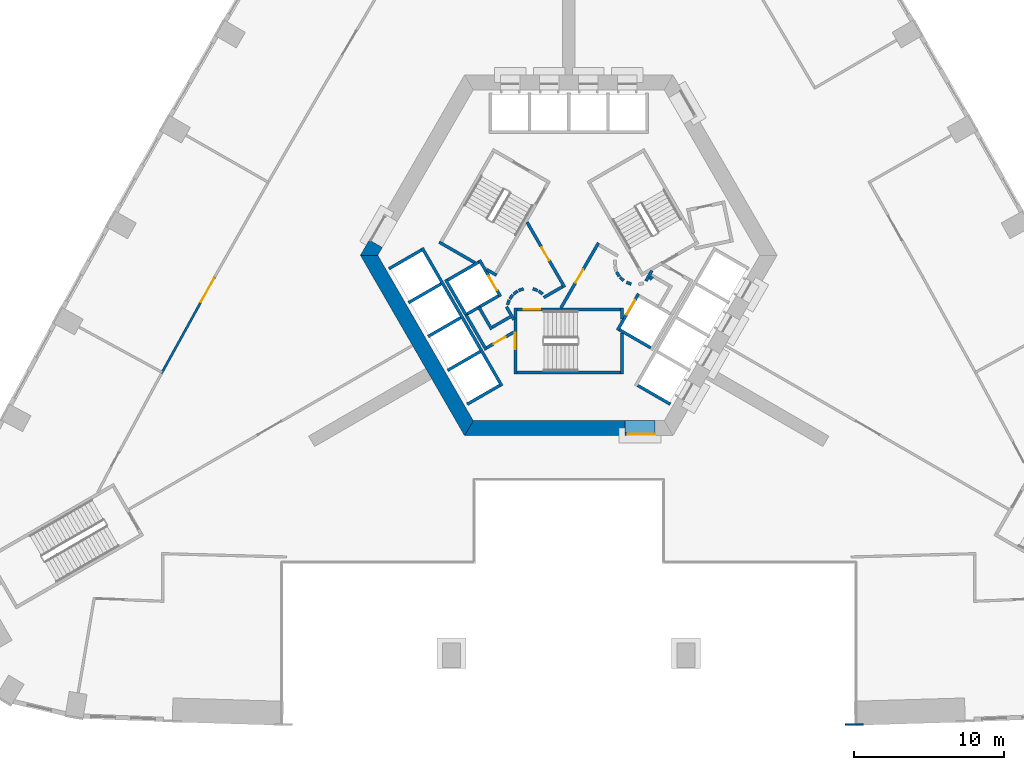
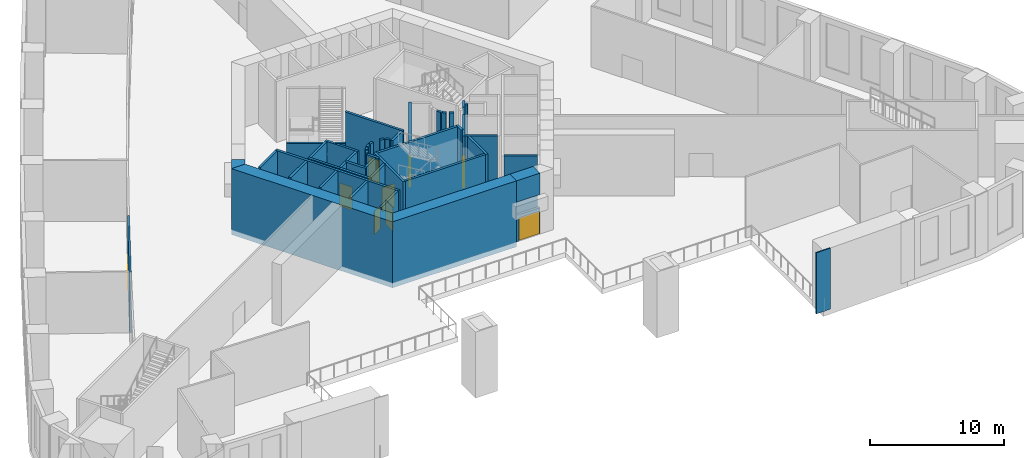
# One storey, part 3 of 15: 46 walls, 9 doors, 9 openings.
"""IFC4 building model written with IfcOpenShell, lengths in metres."""

from ifc_helpers import new_model, si_unit, direction, frame, frame_2d, origin, place, context, subcontext, project, spatial, polyline, rectangle, outline, extrude, material, layer, layer_set, type_object, element, fill, save


model = new_model("IFC4")

# Units and contexts
model_context = context("Model", 3, precision=1e-05, world=origin(), true_north=direction((0.0, 1.0)))
body_context = subcontext(model_context, "Body", "Model", "MODEL_VIEW")
ifc_project = project(units=[si_unit("LENGTHUNIT", "METRE"), si_unit("AREAUNIT", "SQUARE_METRE"), si_unit("VOLUMEUNIT", "CUBIC_METRE"), si_unit("PLANEANGLEUNIT", "RADIAN"), si_unit("MASSUNIT", "GRAM", prefix="KILO")], contexts=[model_context])

# Site, building, storey
site_placement = place(None, origin())
site = spatial("IfcSite", under=ifc_project, at=site_placement, CompositionType="ELEMENT")
building_placement = place(site_placement, origin())
building = spatial("IfcBuilding", under=site, at=building_placement, Name="Entoto Arch Interchange Tower", CompositionType="ELEMENT")
storey_placement = place(building_placement, frame((0.0, 0.0, 9.0)))
storey = spatial("IfcBuildingStorey", under=building, at=storey_placement, Name="L01", CompositionType="ELEMENT", Elevation=9.0)

# Wall, opening, door
ifc_material_1 = material(Name="Reinforced concrete C40/50", Category="concrete")
ifc_layer_1 = layer(ifc_material_1, 0.199951171875)
ifc_layer_set_1 = layer_set([ifc_layer_1], Name="Reinforced concrete C40/50")
wall_type_1 = type_object("IfcWallType", Name="CORE GAP INFILL WALL", PredefinedType="PARTITIONING", material=ifc_layer_set_1)
wall_1_placement = place(storey_placement, frame((3.75, -9.39990234375, 0.0), z_axis=(0.0, 0.0, 1.0), x_axis=(1.0, 0.0, 0.0)))
wall_1 = element("IfcWall", 1, at=wall_1_placement, inside=storey, type_object=wall_type_1, Name="wall:L01:gap1", PredefinedType="PARTITIONING", context=body_context, shape_type="SweptSolid", body=[
    extrude(rectangle(XDim=2.0, YDim=0.199951171875, at=frame_2d((1.0, 0.0))), origin(), (0.0, 0.0, 1.0), 2.39990234375),
])
opening_1_placement = place(wall_1_placement, frame((0.18994140625, 0.0, 0.0)))
opening_1 = element("IfcOpeningElement", 2, at=opening_1_placement, cuts=wall_1, Name="Opening L01-D91", PredefinedType="OPENING", context=body_context, shape_type="SweptSolid", body=[
    extrude(rectangle(XDim=1.800048828125, YDim=2.10009765625, at=frame_2d((0.89990234375, 1.050048828125))), frame((0.0, 0.10986328125, 0.0), z_axis=(0.0, -1.0, 0.0), x_axis=(1.0, 0.0, 0.0)), (0.0, 0.0, 1.0), 0.219970703125),
])
ifc_material_2 = material(Name="Fire-rated Steel S235 door and frame", Category="steel")
door_type_1 = type_object("IfcDoorType", Name="DOOR FD-18 1800x2100", OperationType="DOUBLE_DOOR_SINGLE_SWING", PredefinedType="DOOR", material=ifc_material_2)
door_1_placement = place(opening_1_placement, origin())
door_1 = element("IfcDoor", 3, at=door_1_placement, inside=storey, type_object=door_type_1, Name="door:L01:gap1", OperationType="DOUBLE_DOOR_SINGLE_SWING", OverallHeight=2.10009765625, OverallWidth=1.800048828125, PredefinedType="DOOR", context=body_context, shape_type="SweptSolid", body=[
    extrude(rectangle(XDim=1.800048828125, YDim=2.10009765625, at=frame_2d((0.89990234375, 1.050048828125))), frame((0.0, 0.02490234375, 0.0), z_axis=(0.0, -1.0, 0.0), x_axis=(1.0, 0.0, 0.0)), (0.0, 0.0, 1.0), 0.050048828125),
])
fill(opening_1, door_1)

# Walls
ifc_material_3 = material(Name="Concrete C60/75", Category="concrete")
ifc_layer_2 = layer(ifc_material_3, 1.0)
ifc_layer_set_2 = layer_set([ifc_layer_2], Name="Concrete C60/75")
wall_type_2 = type_object("IfcWallType", Name="Core wall 1000 C60/75", PredefinedType="SHEAR", material=ifc_layer_set_2)
wall_2_placement = place(storey_placement, frame((0.0, 0.0, -0.449951171875)))
element("IfcWall", 4, at=wall_2_placement, inside=storey, type_object=wall_type_2, Name="Core wall NW L01", PredefinedType="SHEAR", context=body_context, shape_type="SweptSolid", body=[
    extrude(outline(polyline([(-12.402099609375, 3.02001953125), (-13.26708984375, 3.52001953125), (-13.85595703125, 2.5), (-12.701904296875, 2.5), (-12.402099609375, 3.02001953125)])), origin(), (0.0, 0.0, 1.0), 6.0),
])
wall_3_placement = place(storey_placement, frame((0.0, 0.0, -0.449951171875)))
element("IfcWall", 5, at=wall_3_placement, inside=storey, type_object=wall_type_2, Name="Core wall SW L01", PredefinedType="SHEAR", context=body_context, shape_type="SweptSolid", body=[
    extrude(outline(polyline([(-13.85595703125, 2.5), (-6.927978515625, -9.5), (-6.35107421875, -8.5), (-12.701904296875, 2.5), (-13.85595703125, 2.5)])), origin(), (0.0, 0.0, 1.0), 6.0),
])
wall_4_placement = place(storey_placement, frame((0.0, 0.0, -0.449951171875)))
element("IfcWall", 6, at=wall_4_placement, inside=storey, type_object=wall_type_2, Name="Core wall S L01", PredefinedType="SHEAR", context=body_context, shape_type="SweptSolid", body=[
    extrude(outline(polyline([(3.75, -9.5), (3.75, -8.5), (-6.35107421875, -8.5), (-6.927978515625, -9.5), (3.75, -9.5)])), origin(), (0.0, 0.0, 1.0), 6.0),
])
wall_5_placement = place(storey_placement, frame((0.0, 0.0, 3.60009765625)))
element("IfcWall", 7, at=wall_5_placement, inside=storey, type_object=wall_type_2, Name="Core wall lintel S L01", PredefinedType="SHEAR", context=body_context, shape_type="SweptSolid", body=[
    extrude(outline(polyline([(5.75, -9.5), (5.75, -8.5), (3.75, -8.5), (3.75, -9.5), (5.75, -9.5)])), origin(), (0.0, 0.0, 1.0), 1.949951171875),
])

# Wall, opening, door
ifc_material_4 = material(Name="Concrete C40/50", Category="concrete")
ifc_layer_3 = layer(ifc_material_4, 0.199951171875)
ifc_layer_set_3 = layer_set([ifc_layer_3], Name="Concrete C40/50")
wall_type_3 = type_object("IfcWallType", Name="LIFT SHAFT WALL 200", PredefinedType="STANDARD", material=ifc_layer_set_3)
wall_6_placement = place(storey_placement, frame((-5.93994140625, 2.18798828125, 0.0), z_axis=(0.0, 0.0, 1.0), x_axis=(0.49994636267, -0.866056369097, 0.0)))
wall_6 = element("IfcWall", 8, at=wall_6_placement, inside=storey, type_object=wall_type_3, Name="Shaft wall SW1 front", PredefinedType="STANDARD", context=body_context, shape_type="SweptSolid", body=[
    extrude(rectangle(XDim=2.800048828125, YDim=0.199951171875, at=frame_2d((1.39990234375, 0.0))), origin(), (0.0, 0.0, 1.0), 5.550048828125),
])
opening_2_placement = place(wall_6_placement, frame((1.22509765625, 0.0, 0.0)))
opening_2 = element("IfcOpeningElement", 9, at=opening_2_placement, cuts=wall_6, Name="Opening LD-FF2-L01", PredefinedType="OPENING", context=body_context, shape_type="SweptSolid", body=[
    extrude(rectangle(XDim=1.10009765625, YDim=2.10009765625, at=frame_2d((0.550048828125, 1.050048828125))), frame((0.0, 0.10986328125, 0.0), z_axis=(0.0, -1.0, 0.0), x_axis=(1.0, 0.0, 0.0)), (0.0, 0.0, 1.0), 0.219970703125),
])
ifc_material_5 = material(Name="Stainless steel 1.4301 panels", Category="steel")
door_type_2 = type_object("IfcDoorType", Name="LIFT LANDING DOOR LD1 1100x2100", OperationType="SLIDING_TO_LEFT", PredefinedType="DOOR", material=ifc_material_5)
door_2_placement = place(opening_2_placement, origin())
door_2 = element("IfcDoor", 10, at=door_2_placement, inside=storey, type_object=door_type_2, Name="Lift landing door FF2 L01", OperationType="SLIDING_TO_LEFT", OverallHeight=2.10009765625, OverallWidth=1.10009765625, PredefinedType="DOOR", context=body_context, shape_type="SweptSolid", body=[
    extrude(rectangle(XDim=1.10009765625, YDim=2.10009765625, at=frame_2d((0.550048828125, 1.050048828125))), frame((0.0, 0.02490234375, 0.0), z_axis=(0.0, -1.0, 0.0), x_axis=(1.0, 0.0, 0.0)), (0.0, 0.0, 1.0), 0.050048828125),
])
fill(opening_2, door_2)

# Walls
wall_7_placement = place(storey_placement, frame((-8.19189453125, 0.887939453125, 0.0), z_axis=(0.0, 0.0, 1.0), x_axis=(0.49994636267, -0.866056369097, 0.0)))
element("IfcWall", 11, at=wall_7_placement, inside=storey, type_object=wall_type_3, Name="Shaft wall SW1 back", PredefinedType="STANDARD", context=body_context, shape_type="SweptSolid", body=[
    extrude(rectangle(XDim=2.800048828125, YDim=0.199951171875, at=frame_2d((1.39990234375, 0.0))), origin(), (0.0, 0.0, 1.0), 5.550048828125),
])
for number, where, z_axis, x_axis, name in (
    (12, (-5.97705078125, 2.052001953125, 0.0), (0.0, 0.0, 1.0), (-0.865973769406, -0.500089422704, 0.0), "Shaft wall SW1 cross 1"),
    (13, (-4.677001953125, -0.199951171875, 0.0), (0.0, 0.0, 1.0), (-0.865973769406, -0.500089422704, 0.0), "Shaft wall SW1 cross 2"),
):
    element("IfcWall", number, at=place(storey_placement, frame(where, z_axis=z_axis, x_axis=x_axis)), inside=storey, type_object=wall_type_3, Name=name, PredefinedType="STANDARD", context=body_context, shape_type="SweptSolid", body=[
        extrude(rectangle(XDim=2.3994140625, YDim=0.199951171875, at=frame_2d((1.19970703125, 0.0))), origin(), (0.0, 0.0, 1.0), 5.550048828125),
    ])
wall_8_placement = place(storey_placement, frame((-9.7509765625, 2.989990234375, 0.0), z_axis=(0.0, 0.0, 1.0), x_axis=(0.50000090737, -0.866024879913, 0.0)))
element("IfcWall", 14, at=wall_8_placement, inside=storey, type_object=wall_type_3, Name="Shaft wall SW3 front", PredefinedType="STANDARD", context=body_context, shape_type="SweptSolid", body=[
    extrude(rectangle(XDim=10.60009765625, YDim=0.199951171875, at=frame_2d((5.300048828125, 0.0))), origin(), (0.0, 0.0, 1.0), 5.550048828125),
])
wall_9_placement = place(storey_placement, frame((-9.7880859375, 2.85302734375, 0.0), z_axis=(0.0, 0.0, 1.0), x_axis=(-0.865998541277, -0.500046524342, 0.0)))
element("IfcWall", 15, at=wall_9_placement, inside=storey, type_object=wall_type_3, Name="Shaft wall SW3 cross 1", PredefinedType="STANDARD", context=body_context, shape_type="SweptSolid", body=[
    extrude(rectangle(XDim=2.499755859375, YDim=0.199951171875, at=frame_2d((1.25, 0.0))), origin(), (0.0, 0.0, 1.0), 5.550048828125),
])
for number, where, z_axis, x_axis, name in (
    (16, (-8.488037109375, 0.60205078125, 0.0), (0.0, 0.0, 1.0), (-0.866022959057, -0.500004234368, 0.0), "Shaft wall SW3 cross 2"),
    (17, (-7.18798828125, -1.64990234375, 0.0), (0.0, 0.0, 1.0), (-0.866022959057, -0.500004234368, 0.0), "Shaft wall SW3 cross 3"),
    (18, (-5.887939453125, -3.902099609375, 0.0), (0.0, 0.0, 1.0), (-0.866022959057, -0.500004234368, 0.0), "Shaft wall SW3 cross 4"),
    (19, (-4.587890625, -6.153076171875, 0.0), (0.0, 0.0, 1.0), (-0.866022959057, -0.500004234368, 0.0), "Shaft wall SW3 cross 5"),
):
    element("IfcWall", number, at=place(storey_placement, frame(where, z_axis=z_axis, x_axis=x_axis)), inside=storey, type_object=wall_type_3, Name=name, PredefinedType="STANDARD", context=body_context, shape_type="SweptSolid", body=[
        extrude(rectangle(XDim=2.5, YDim=0.199951171875, at=frame_2d((1.25, 0.0))), origin(), (0.0, 0.0, 1.0), 5.550048828125),
    ])

# Wall, opening, door
wall_10_placement = place(storey_placement, frame((3.239990234375, -2.488037109375, 0.0), z_axis=(0.0, 0.0, 1.0), x_axis=(0.49994636267, 0.866056369097, 0.0)))
wall_10 = element("IfcWall", 20, at=wall_10_placement, inside=storey, type_object=wall_type_3, Name="Shaft wall SE1 front", PredefinedType="STANDARD", context=body_context, shape_type="SweptSolid", body=[
    extrude(rectangle(XDim=2.800048828125, YDim=0.199951171875, at=frame_2d((1.39990234375, 0.0))), origin(), (0.0, 0.0, 1.0), 5.550048828125),
])
opening_3_placement = place(wall_10_placement, frame((1.22509765625, 0.0, 0.0)))
opening_3 = element("IfcOpeningElement", 21, at=opening_3_placement, cuts=wall_10, Name="Opening LD-FF1-L01", PredefinedType="OPENING", context=body_context, shape_type="SweptSolid", body=[
    extrude(rectangle(XDim=1.10009765625, YDim=2.10009765625, at=frame_2d((0.550048828125, 1.050048828125))), frame((0.0, 0.10986328125, 0.0), z_axis=(0.0, -1.0, 0.0), x_axis=(1.0, 0.0, 0.0)), (0.0, 0.0, 1.0), 0.219970703125),
])
door_3_placement = place(opening_3_placement, origin())
door_3 = element("IfcDoor", 22, at=door_3_placement, inside=storey, type_object=door_type_2, Name="Lift landing door FF1 L01", OperationType="SLIDING_TO_LEFT", OverallHeight=2.10009765625, OverallWidth=1.10009765625, PredefinedType="DOOR", context=body_context, shape_type="SweptSolid", body=[
    extrude(rectangle(XDim=1.10009765625, YDim=2.10009765625, at=frame_2d((0.550048828125, 1.050048828125))), frame((0.0, 0.02490234375, 0.0), z_axis=(0.0, -1.0, 0.0), x_axis=(1.0, 0.0, 0.0)), (0.0, 0.0, 1.0), 0.050048828125),
])
fill(opening_3, door_3)

# Walls
wall_11_placement = place(storey_placement, frame((3.376953125, -2.451904296875, 0.0), z_axis=(0.0, 0.0, 1.0), x_axis=(0.865955154139, -0.50012165622, 0.0)))
element("IfcWall", 23, at=wall_11_placement, inside=storey, type_object=wall_type_3, Name="Shaft wall SE1 cross 1", PredefinedType="STANDARD", context=body_context, shape_type="SweptSolid", body=[
    extrude(rectangle(XDim=2.39990234375, YDim=0.199951171875, at=frame_2d((1.199951171875, 0.0))), origin(), (0.0, 0.0, 1.0), 5.550048828125),
])
wall_12_placement = place(storey_placement, frame((4.587890625, -6.153076171875, 0.0), z_axis=(0.0, 0.0, 1.0), x_axis=(0.866022959057, -0.500004234368, 0.0)))
element("IfcWall", 24, at=wall_12_placement, inside=storey, type_object=wall_type_3, Name="Shaft wall SE3 cross 1", PredefinedType="STANDARD", context=body_context, shape_type="SweptSolid", body=[
    extrude(rectangle(XDim=2.5, YDim=0.199951171875, at=frame_2d((1.25, 0.0))), origin(), (0.0, 0.0, 1.0), 5.550048828125),
])

# Wall, opening, door
ifc_material_6 = material(Name="Gypsum board partition on steel studs", Category="steel")
ifc_layer_4 = layer(ifc_material_6, 0.14990234375)
ifc_layer_set_4 = layer_set([ifc_layer_4], Name="Gypsum board partition on steel studs")
wall_type_4 = type_object("IfcWallType", Name="PARTITION 150", PredefinedType="PARTITIONING", material=ifc_layer_set_4)
wall_13_placement = place(storey_placement, frame((-23.550048828125, 1.051025390625, 0.0), z_axis=(0.0, 0.0, 1.0), x_axis=(-0.48321416161, -0.875502183903, 0.0)))
wall_13 = element("IfcWall", 25, at=wall_13_placement, inside=storey, type_object=wall_type_4, Name="wall:L01:p063", PredefinedType="PARTITIONING", context=body_context, shape_type="SweptSolid", body=[
    extrude(rectangle(XDim=7.311279296875, YDim=0.14990234375, at=frame_2d((3.65576171875, 0.0))), origin(), (0.0, 0.0, 1.0), 5.550048828125),
])
opening_4_placement = place(wall_13_placement, frame((0.10009765625, 0.0, 0.0)))
opening_4 = element("IfcOpeningElement", 26, at=opening_4_placement, cuts=wall_13, Name="Opening L01-D13", PredefinedType="OPENING", context=body_context, shape_type="SweptSolid", body=[
    extrude(rectangle(XDim=1.800048828125, YDim=2.10009765625, at=frame_2d((0.89990234375, 1.050048828125))), frame((0.0, 0.0849609375, 0.0), z_axis=(0.0, -1.0, 0.0), x_axis=(1.0, 0.0, 0.0)), (0.0, 0.0, 1.0), 0.169921875),
])
ifc_material_7 = material(Name="Timber door leaf in Steel S235 frame", Category="steel")
door_type_3 = type_object("IfcDoorType", Name="DOOR DD-18 1800x2100", OperationType="DOUBLE_DOOR_SINGLE_SWING", PredefinedType="DOOR", material=ifc_material_7)
door_4_placement = place(opening_4_placement, origin())
door_4 = element("IfcDoor", 27, at=door_4_placement, inside=storey, type_object=door_type_3, Name="door:L01:13", OperationType="DOUBLE_DOOR_SINGLE_SWING", OverallHeight=2.10009765625, OverallWidth=1.800048828125, PredefinedType="DOOR", context=body_context, shape_type="SweptSolid", body=[
    extrude(rectangle(XDim=1.800048828125, YDim=2.10009765625, at=frame_2d((0.89990234375, 1.050048828125))), frame((0.0, 0.02490234375, 0.0), z_axis=(0.0, -1.0, 0.0), x_axis=(1.0, 0.0, 0.0)), (0.0, 0.0, 1.0), 0.050048828125),
])
fill(opening_4, door_4)

# Walls
ifc_layer_5 = layer(ifc_material_6, 0.199951171875)
ifc_layer_set_5 = layer_set([ifc_layer_5], Name="Gypsum board partition on steel studs")
wall_type_5 = type_object("IfcWallType", Name="PARTITION 200", PredefinedType="PARTITIONING", material=ifc_layer_set_5)
wall_14_placement = place(storey_placement, frame((5.389892578125, 0.89794921875, 0.0), z_axis=(0.0, 0.0, 1.0), x_axis=(0.673828488714, 0.738887791073, 0.0)))
element("IfcWall", 28, at=wall_14_placement, inside=storey, type_object=wall_type_5, Name="wall:L01:p001", PredefinedType="PARTITIONING", context=body_context, shape_type="SweptSolid", body=[
    extrude(rectangle(XDim=0.2626953125, YDim=0.199951171875, at=frame_2d((0.13134765625, 0.0))), origin(), (0.0, 0.0, 1.0), 5.550048828125),
])
wall_15_placement = place(storey_placement, frame((5.135009765625, 0.79296875, 0.0), z_axis=(0.0, 0.0, 1.0), x_axis=(0.499526442893, 0.866298639529, 0.0)))
element("IfcWall", 29, at=wall_15_placement, inside=storey, type_object=wall_type_5, Name="wall:L01:p005", PredefinedType="PARTITIONING", context=body_context, shape_type="SweptSolid", body=[
    extrude(rectangle(XDim=0.790771484375, YDim=0.199951171875, at=frame_2d((0.3955078125, 0.0))), origin(), (0.0, 0.0, 1.0), 5.550048828125),
])
wall_16_placement = place(storey_placement, frame((-3.89990234375, -1.59912109375, 0.0), z_axis=(0.0, 0.0, 1.0), x_axis=(-0.865969445389, -0.500096910261, 0.0)))
element("IfcWall", 30, at=wall_16_placement, inside=storey, type_object=wall_type_5, Name="wall:L01:p007", PredefinedType="PARTITIONING", context=body_context, shape_type="SweptSolid", body=[
    extrude(rectangle(XDim=1.373291015625, YDim=0.199951171875, at=frame_2d((0.6865234375, 0.0))), origin(), (0.0, 0.0, 1.0), 5.550048828125),
])
wall_17_placement = place(storey_placement, frame((-5.1259765625, -2.422119140625, 0.0), z_axis=(0.0, 0.0, 1.0), x_axis=(-0.500062241894, 0.865989465428, 0.0)))
element("IfcWall", 31, at=wall_17_placement, inside=storey, type_object=wall_type_5, Name="wall:L01:p008", PredefinedType="PARTITIONING", context=body_context, shape_type="SweptSolid", body=[
    extrude(rectangle(XDim=1.699951171875, YDim=0.199951171875, at=frame_2d((0.85009765625, 0.0))), origin(), (0.0, 0.0, 1.0), 5.550048828125),
])
wall_18_placement = place(storey_placement, frame((-5.491943359375, -3.7880859375, 0.0), z_axis=(0.0, 0.0, 1.0), x_axis=(-0.500008949224, 0.866020236886, 0.0)))
element("IfcWall", 32, at=wall_18_placement, inside=storey, type_object=wall_type_5, Name="wall:L01:p009", PredefinedType="PARTITIONING", context=body_context, shape_type="SweptSolid", body=[
    extrude(rectangle(XDim=2.68017578125, YDim=0.199951171875, at=frame_2d((1.340087890625, 0.0))), origin(), (0.0, 0.0, 1.0), 5.550048828125),
])
wall_19_placement = place(storey_placement, frame((-4.14501953125, -0.919921875, 0.0), z_axis=(0.0, 0.0, 1.0), x_axis=(0.499743786207, -0.866173278362, 0.0)))
element("IfcWall", 33, at=wall_19_placement, inside=storey, type_object=wall_type_5, Name="wall:L01:p010", PredefinedType="PARTITIONING", context=body_context, shape_type="SweptSolid", body=[
    extrude(rectangle(XDim=0.99072265625, YDim=0.199951171875, at=frame_2d((0.495361328125, 0.0))), origin(), (0.0, 0.0, 1.0), 5.550048828125),
])

# Wall, opening, door
wall_20_placement = place(storey_placement, frame((-3.64990234375, -2.610107421875, 0.0), z_axis=(0.0, 0.0, 1.0), x_axis=(-0.866072462134, -0.499918483688, 0.0)))
wall_20 = element("IfcWall", 34, at=wall_20_placement, inside=storey, type_object=wall_type_5, Name="wall:L01:p011", PredefinedType="PARTITIONING", context=body_context, shape_type="SweptSolid", body=[
    extrude(rectangle(XDim=2.084228515625, YDim=0.199951171875, at=frame_2d((1.0419921875, 0.0))), origin(), (0.0, 0.0, 1.0), 5.550048828125),
])
opening_5_placement = place(wall_20_placement, frame((0.64208984375, 0.0, 0.0)))
opening_5 = element("IfcOpeningElement", 35, at=opening_5_placement, cuts=wall_20, Name="Opening L01-D18", PredefinedType="OPENING", context=body_context, shape_type="SweptSolid", body=[
    extrude(rectangle(XDim=0.89990234375, YDim=2.10009765625, at=frame_2d((0.449951171875, 1.050048828125))), frame((0.0, 0.10986328125, 0.0), z_axis=(0.0, -1.0, 0.0), x_axis=(1.0, 0.0, 0.0)), (0.0, 0.0, 1.0), 0.219970703125),
])
door_type_4 = type_object("IfcDoorType", Name="DOOR DS-09 900x2100", OperationType="SINGLE_SWING_LEFT", PredefinedType="DOOR", material=ifc_material_7)
door_5_placement = place(opening_5_placement, origin())
door_5 = element("IfcDoor", 36, at=door_5_placement, inside=storey, type_object=door_type_4, Name="door:L01:18", OperationType="SINGLE_SWING_LEFT", OverallHeight=2.10009765625, OverallWidth=0.89990234375, PredefinedType="DOOR", context=body_context, shape_type="SweptSolid", body=[
    extrude(rectangle(XDim=0.89990234375, YDim=2.10009765625, at=frame_2d((0.449951171875, 1.050048828125))), frame((0.0, 0.02490234375, 0.0), z_axis=(0.0, -1.0, 0.0), x_axis=(1.0, 0.0, 0.0)), (0.0, 0.0, 1.0), 0.050048828125),
])
fill(opening_5, door_5)

# Walls
for number, where, z_axis, x_axis, name in (
    (37, (3.181884765625, 1.387939453125, 0.0), (0.0, 0.0, 1.0), (0.512474702713, -0.85870232274, 0.0), "wall:L01:p018"),
    (38, (3.404052734375, 1.0390625, 0.0), (0.0, 0.0, 1.0), (0.740267097712, -0.672312891476, 0.0), "wall:L01:p019"),
):
    element("IfcWall", number, at=place(storey_placement, frame(where, z_axis=z_axis, x_axis=x_axis)), inside=storey, type_object=wall_type_5, Name=name, PredefinedType="PARTITIONING", context=body_context, shape_type="SweptSolid", body=[
        extrude(rectangle(XDim=0.337646484375, YDim=0.199951171875, at=frame_2d((0.1689453125, 0.0))), origin(), (0.0, 0.0, 1.0), 5.550048828125),
    ])
wall_21_placement = place(storey_placement, frame((3.837890625, 0.701904296875, 0.0), z_axis=(0.0, 0.0, 1.0), x_axis=(0.941035081519, -0.338308993895, 0.0)))
element("IfcWall", 39, at=wall_21_placement, inside=storey, type_object=wall_type_5, Name="wall:L01:p020", PredefinedType="PARTITIONING", context=body_context, shape_type="SweptSolid", body=[
    extrude(rectangle(XDim=0.3369140625, YDim=0.199951171875, at=frame_2d((0.16845703125, 0.0))), origin(), (0.0, 0.0, 1.0), 5.550048828125),
])

# Wall, opening, door
wall_22_placement = place(storey_placement, frame((-0.52001953125, -1.0, 0.0), z_axis=(0.0, 0.0, 1.0), x_axis=(0.50011622646, 0.865958290007, 0.0)))
wall_22 = element("IfcWall", 40, at=wall_22_placement, inside=storey, type_object=wall_type_5, Name="wall:L01:p022", PredefinedType="PARTITIONING", context=body_context, shape_type="SweptSolid", body=[
    extrude(rectangle(XDim=4.990966796875, YDim=0.199951171875, at=frame_2d((2.49560546875, 0.0))), origin(), (0.0, 0.0, 1.0), 5.550048828125),
])
opening_6_placement = place(wall_22_placement, frame((1.945068359375, 0.0, 0.0)))
opening_6 = element("IfcOpeningElement", 41, at=opening_6_placement, cuts=wall_22, Name="Opening L01-D15", PredefinedType="OPENING", context=body_context, shape_type="SweptSolid", body=[
    extrude(rectangle(XDim=1.0, YDim=2.10009765625, at=frame_2d((0.5, 1.050048828125))), frame((0.0, 0.10986328125, 0.0), z_axis=(0.0, -1.0, 0.0), x_axis=(1.0, 0.0, 0.0)), (0.0, 0.0, 1.0), 0.219970703125),
])
door_type_5 = type_object("IfcDoorType", Name="DOOR FD-10 1000x2100", OperationType="SINGLE_SWING_LEFT", PredefinedType="DOOR", material=ifc_material_2)
door_6_placement = place(opening_6_placement, origin())
door_6 = element("IfcDoor", 42, at=door_6_placement, inside=storey, type_object=door_type_5, Name="door:L01:15", OperationType="SINGLE_SWING_LEFT", OverallHeight=2.10009765625, OverallWidth=1.0, PredefinedType="DOOR", context=body_context, shape_type="SweptSolid", body=[
    extrude(rectangle(XDim=1.0, YDim=2.10009765625, at=frame_2d((0.5, 1.050048828125))), frame((0.0, 0.02490234375, 0.0), z_axis=(0.0, -1.0, 0.0), x_axis=(1.0, 0.0, 0.0)), (0.0, 0.0, 1.0), 0.050048828125),
])
fill(opening_6, door_6)

# Walls
wall_23_placement = place(storey_placement, frame((-0.412109375, 0.4140625, 0.0), z_axis=(0.0, 0.0, 1.0), x_axis=(-0.866017369001, -0.500013916395, 0.0)))
element("IfcWall", 43, at=wall_23_placement, inside=storey, type_object=wall_type_5, Name="wall:L01:p024", PredefinedType="PARTITIONING", context=body_context, shape_type="SweptSolid", body=[
    extrude(rectangle(XDim=1.4501953125, YDim=0.199951171875, at=frame_2d((0.72509765625, 0.0))), origin(), (0.0, 0.0, 1.0), 5.550048828125),
])
wall_24_placement = place(storey_placement, frame((-1.73095703125, -0.076904296875, 0.0), z_axis=(0.0, 0.0, 1.0), x_axis=(-0.804311165252, 0.594208338422, 0.0)))
element("IfcWall", 44, at=wall_24_placement, inside=storey, type_object=wall_type_5, Name="wall:L01:p025", PredefinedType="PARTITIONING", context=body_context, shape_type="SweptSolid", body=[
    extrude(rectangle(XDim=0.338134765625, YDim=0.199951171875, at=frame_2d((0.1689453125, 0.0))), origin(), (0.0, 0.0, 1.0), 5.550048828125),
])
wall_25_placement = place(storey_placement, frame((-2.070068359375, 0.159912109375, 0.0), z_axis=(0.0, 0.0, 1.0), x_axis=(-0.942199461132, 0.335052496547, 0.0)))
element("IfcWall", 45, at=wall_25_placement, inside=storey, type_object=wall_type_5, Name="wall:L01:p026", PredefinedType="PARTITIONING", context=body_context, shape_type="SweptSolid", body=[
    extrude(rectangle(XDim=0.33740234375, YDim=0.199951171875, at=frame_2d((0.168701171875, 0.0))), origin(), (0.0, 0.0, 1.0), 5.550048828125),
])
wall_26_placement = place(storey_placement, frame((-3.011962890625, 0.27294921875, 0.0), z_axis=(0.0, 0.0, 1.0), x_axis=(-0.942280615813, -0.334824194261, 0.0)))
element("IfcWall", 46, at=wall_26_placement, inside=storey, type_object=wall_type_5, Name="wall:L01:p027", PredefinedType="PARTITIONING", context=body_context, shape_type="SweptSolid", body=[
    extrude(rectangle(XDim=0.337646484375, YDim=0.199951171875, at=frame_2d((0.1689453125, 0.0))), origin(), (0.0, 0.0, 1.0), 5.550048828125),
])
wall_27_placement = place(storey_placement, frame((-3.39697265625, 0.1240234375, 0.0), z_axis=(0.0, 0.0, 1.0), x_axis=(-0.804311165252, -0.594208338422, 0.0)))
element("IfcWall", 47, at=wall_27_placement, inside=storey, type_object=wall_type_5, Name="wall:L01:p028", PredefinedType="PARTITIONING", context=body_context, shape_type="SweptSolid", body=[
    extrude(rectangle(XDim=0.338134765625, YDim=0.199951171875, at=frame_2d((0.1689453125, 0.0))), origin(), (0.0, 0.0, 1.0), 5.550048828125),
])
wall_28_placement = place(storey_placement, frame((-3.722900390625, -0.131103515625, 0.0), z_axis=(0.0, 0.0, 1.0), x_axis=(-0.594675113454, -0.803966112121, 0.0)))
element("IfcWall", 48, at=wall_28_placement, inside=storey, type_object=wall_type_5, Name="wall:L01:p029", PredefinedType="PARTITIONING", context=body_context, shape_type="SweptSolid", body=[
    extrude(rectangle(XDim=0.33837890625, YDim=0.199951171875, at=frame_2d((0.169189453125, 0.0))), origin(), (0.0, 0.0, 1.0), 5.550048828125),
])
wall_29_placement = place(storey_placement, frame((-3.9599609375, -0.469970703125, 0.0), z_axis=(0.0, 0.0, 1.0), x_axis=(-0.334824194261, -0.942280615813, 0.0)))
element("IfcWall", 49, at=wall_29_placement, inside=storey, type_object=wall_type_5, Name="wall:L01:p030", PredefinedType="PARTITIONING", context=body_context, shape_type="SweptSolid", body=[
    extrude(rectangle(XDim=0.337646484375, YDim=0.199951171875, at=frame_2d((0.1689453125, 0.0))), origin(), (0.0, 0.0, 1.0), 5.550048828125),
])

# Wall, opening, door
wall_30_placement = place(storey_placement, frame((-2.77099609375, 4.699951171875, 0.0), z_axis=(0.0, 0.0, 1.0), x_axis=(0.499969479948, -0.866043023828, 0.0)))
wall_30 = element("IfcWall", 50, at=wall_30_placement, inside=storey, type_object=wall_type_5, Name="wall:L01:p031", PredefinedType="PARTITIONING", context=body_context, shape_type="SweptSolid", body=[
    extrude(rectangle(XDim=4.990478515625, YDim=0.199951171875, at=frame_2d((2.4951171875, 0.0))), origin(), (0.0, 0.0, 1.0), 5.550048828125),
])
opening_7_placement = place(wall_30_placement, frame((1.945068359375, 0.0, 0.0)))
opening_7 = element("IfcOpeningElement", 51, at=opening_7_placement, cuts=wall_30, Name="Opening L01-D16", PredefinedType="OPENING", context=body_context, shape_type="SweptSolid", body=[
    extrude(rectangle(XDim=1.0, YDim=2.10009765625, at=frame_2d((0.5, 1.050048828125))), frame((0.0, 0.10986328125, 0.0), z_axis=(0.0, -1.0, 0.0), x_axis=(1.0, 0.0, 0.0)), (0.0, 0.0, 1.0), 0.219970703125),
])
door_7_placement = place(opening_7_placement, origin())
door_7 = element("IfcDoor", 52, at=door_7_placement, inside=storey, type_object=door_type_5, Name="door:L01:16", OperationType="SINGLE_SWING_RIGHT", OverallHeight=2.10009765625, OverallWidth=1.0, PredefinedType="DOOR", context=body_context, shape_type="SweptSolid", body=[
    extrude(rectangle(XDim=1.0, YDim=2.10009765625, at=frame_2d((0.5, 1.050048828125))), frame((0.0, 0.02490234375, 0.0), z_axis=(0.0, -1.0, 0.0), x_axis=(1.0, 0.0, 0.0)), (0.0, 0.0, 1.0), 0.050048828125),
])
fill(opening_7, door_7)

ifc_layer_6 = layer(ifc_material_4, 0.199951171875)
ifc_layer_set_6 = layer_set([ifc_layer_6], Name="Concrete C40/50")
wall_type_6 = type_object("IfcWallType", Name="STAIR ENCLOSURE WALL 200", PredefinedType="STANDARD", material=ifc_layer_set_6)
wall_31_placement = place(storey_placement, frame((-3.550048828125, -1.0, 0.0), z_axis=(0.0, 0.0, 1.0), x_axis=(0.0, -1.0, 0.0)))
wall_31 = element("IfcWall", 53, at=wall_31_placement, inside=storey, type_object=wall_type_6, Name="Stair wall ST-S near", PredefinedType="STANDARD", context=body_context, shape_type="SweptSolid", body=[
    extrude(rectangle(XDim=4.39990234375, YDim=0.199951171875, at=frame_2d((2.199951171875, 0.0))), origin(), (0.0, 0.0, 1.0), 5.550048828125),
])
opening_8_placement = place(wall_31_placement, frame((1.64990234375, 0.0, 0.0)))
opening_8 = element("IfcOpeningElement", 54, at=opening_8_placement, cuts=wall_31, Name="Opening SD-ST-S-L01-E", PredefinedType="OPENING", context=body_context, shape_type="SweptSolid", body=[
    extrude(rectangle(XDim=1.10009765625, YDim=2.199951171875, at=frame_2d((0.550048828125, 1.10009765625))), frame((0.0, 0.10986328125, 0.0), z_axis=(0.0, -1.0, 0.0), x_axis=(1.0, 0.0, 0.0)), (0.0, 0.0, 1.0), 0.219970703125),
])
ifc_material_8 = material(Name="Steel S235", Category="steel")
door_type_6 = type_object("IfcDoorType", Name="STAIR DOOR SD1 1100x2200", OperationType="SINGLE_SWING_LEFT", PredefinedType="DOOR", material=ifc_material_8)
door_8_placement = place(opening_8_placement, origin())
door_8 = element("IfcDoor", 55, at=door_8_placement, inside=storey, type_object=door_type_6, Name="Stair door ST-S L01 end", OperationType="SINGLE_SWING_LEFT", OverallHeight=2.199951171875, OverallWidth=1.10009765625, PredefinedType="DOOR", context=body_context, shape_type="SweptSolid", body=[
    extrude(rectangle(XDim=1.10009765625, YDim=2.199951171875, at=frame_2d((0.550048828125, 1.10009765625))), frame((0.0, 0.02490234375, 0.0), z_axis=(0.0, -1.0, 0.0), x_axis=(1.0, 0.0, 0.0)), (0.0, 0.0, 1.0), 0.050048828125),
])
fill(opening_8, door_8)

# Walls
wall_32_placement = place(storey_placement, frame((3.550048828125, -2.6669921875, 0.0), z_axis=(0.0, 0.0, 1.0), x_axis=(0.0, -1.0, 0.0)))
element("IfcWall", 56, at=wall_32_placement, inside=storey, type_object=wall_type_6, Name="Stair wall ST-S far", PredefinedType="STANDARD", context=body_context, shape_type="SweptSolid", body=[
    extrude(rectangle(XDim=2.73291015625, YDim=0.199951171875, at=frame_2d((1.366455078125, 0.0))), origin(), (0.0, 0.0, 1.0), 5.550048828125),
])
wall_33_placement = place(storey_placement, frame((3.550048828125, -1.0, 0.0), z_axis=(0.0, 0.0, 1.0), x_axis=(0.0, -1.0, 0.0)))
element("IfcWall", 57, at=wall_33_placement, inside=storey, type_object=wall_type_6, Name="Stair wall ST-S far return", PredefinedType="STANDARD", context=body_context, shape_type="SweptSolid", body=[
    extrude(rectangle(XDim=0.7509765625, YDim=0.199951171875, at=frame_2d((0.37548828125, 0.0))), origin(), (0.0, 0.0, 1.0), 5.550048828125),
])

# Wall, opening, door
wall_34_placement = place(storey_placement, frame((-3.449951171875, -1.10009765625, 0.0), z_axis=(0.0, 0.0, 1.0), x_axis=(1.0, 0.0, 0.0)))
wall_34 = element("IfcWall", 58, at=wall_34_placement, inside=storey, type_object=wall_type_6, Name="Stair wall ST-S hall", PredefinedType="STANDARD", context=body_context, shape_type="SweptSolid", body=[
    extrude(rectangle(XDim=6.89990234375, YDim=0.199951171875, at=frame_2d((3.449951171875, 0.0))), origin(), (0.0, 0.0, 1.0), 5.550048828125),
])
opening_9_placement = place(wall_34_placement, frame((0.449951171875, 0.0, 0.0)))
opening_9 = element("IfcOpeningElement", 59, at=opening_9_placement, cuts=wall_34, Name="Opening SD-ST-S-L01", PredefinedType="OPENING", context=body_context, shape_type="SweptSolid", body=[
    extrude(rectangle(XDim=1.10009765625, YDim=2.199951171875, at=frame_2d((0.550048828125, 1.10009765625))), frame((0.0, 0.10986328125, 0.0), z_axis=(0.0, -1.0, 0.0), x_axis=(1.0, 0.0, 0.0)), (0.0, 0.0, 1.0), 0.219970703125),
])
door_9_placement = place(opening_9_placement, origin())
door_9 = element("IfcDoor", 60, at=door_9_placement, inside=storey, type_object=door_type_6, Name="Stair door ST-S L01", OperationType="SINGLE_SWING_LEFT", OverallHeight=2.199951171875, OverallWidth=1.10009765625, PredefinedType="DOOR", context=body_context, shape_type="SweptSolid", body=[
    extrude(rectangle(XDim=1.10009765625, YDim=2.199951171875, at=frame_2d((0.550048828125, 1.10009765625))), frame((0.0, 0.02490234375, 0.0), z_axis=(0.0, -1.0, 0.0), x_axis=(1.0, 0.0, 0.0)), (0.0, 0.0, 1.0), 0.050048828125),
])
fill(opening_9, door_9)

# Walls
wall_35_placement = place(storey_placement, frame((-3.449951171875, -5.300048828125, 0.0), z_axis=(0.0, 0.0, 1.0), x_axis=(1.0, 0.0, 0.0)))
element("IfcWall", 61, at=wall_35_placement, inside=storey, type_object=wall_type_6, Name="Stair wall ST-S back", PredefinedType="STANDARD", context=body_context, shape_type="SweptSolid", body=[
    extrude(rectangle(XDim=6.89990234375, YDim=0.199951171875, at=frame_2d((3.449951171875, 0.0))), origin(), (0.0, 0.0, 1.0), 5.550048828125),
])
wall_36_placement = place(storey_placement, frame((-6.25, 2.010009765625, 0.0), z_axis=(0.0, 0.0, 1.0), x_axis=(-0.86611865017, 0.499838457731, 0.0)))
element("IfcWall", 62, at=wall_36_placement, inside=storey, type_object=wall_type_6, Name="Stair wall ST-NW far", PredefinedType="STANDARD", context=body_context, shape_type="SweptSolid", body=[
    extrude(rectangle(XDim=2.73291015625, YDim=0.199951171875, at=frame_2d((1.366455078125, 0.0))), origin(), (0.0, 0.0, 1.0), 5.550048828125),
])
wall_37_placement = place(storey_placement, frame((-4.805908203125, 1.176025390625, 0.0), z_axis=(0.0, 0.0, 1.0), x_axis=(-0.866558586415, 0.499075361355, 0.0)))
element("IfcWall", 63, at=wall_37_placement, inside=storey, type_object=wall_type_6, Name="Stair wall ST-NW far return", PredefinedType="STANDARD", context=body_context, shape_type="SweptSolid", body=[
    extrude(rectangle(XDim=0.75146484375, YDim=0.199951171875, at=frame_2d((0.375732421875, 0.0))), origin(), (0.0, 0.0, 1.0), 5.550048828125),
])
ifc_material_9 = material(Name="Welded tuff (ignimbrite) cladding, warm buff", Category="masonry")
ifc_layer_7 = layer(ifc_material_9, 0.10009765625)
ifc_layer_set_7 = layer_set([ifc_layer_7], Name="Welded tuff (ignimbrite) cladding, warm buff")
wall_type_7 = type_object("IfcWallType", Name="STONE PIER CLADDING 100", PredefinedType="STANDARD", material=ifc_layer_set_7)
wall_38_placement = place(storey_placement, frame((18.39892578125, -28.720947265625, 0.0), z_axis=(0.0, 0.0, 1.0), x_axis=(0.999886724523, 0.015051183404, 0.0)))
element("IfcWall", 64, at=wall_38_placement, inside=storey, type_object=wall_type_7, Name="Stone pier S04 L01", PredefinedType="STANDARD", context=body_context, shape_type="SweptSolid", body=[
    extrude(rectangle(XDim=1.200439453125, YDim=0.10009765625, at=frame_2d((0.60009765625, 0.0))), origin(), (0.0, 0.0, 1.0), 5.550048828125),
])

save(model, "model.ifc")
